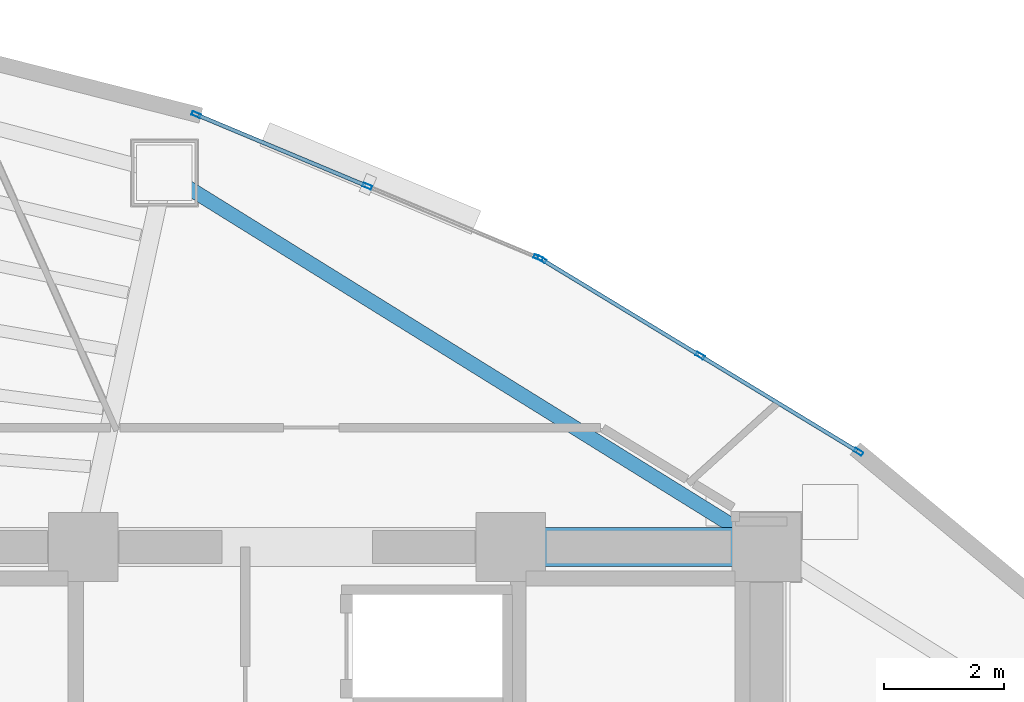
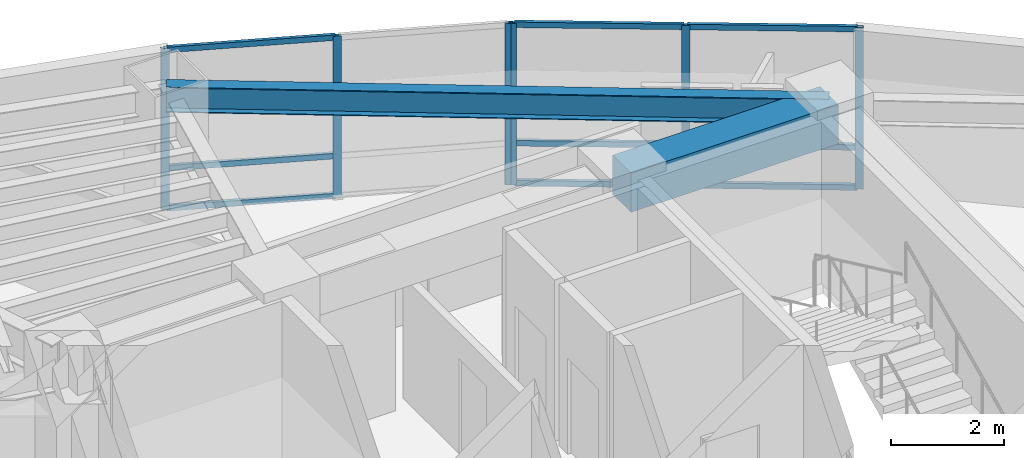
# One storey, part 9 of 15: 15 members, 2 beams, 2 elements without a shape of their own.
"""IFC4 building model written with IfcOpenShell, lengths in metres."""

from ifc_helpers import new_model, si_unit, direction, frame, origin, origin_2d, place, context, subcontext, project, spatial, rectangle, hollow_rectangle, i_section, extrude, material, layer, layer_set, material_profile, profile_set, type_object, element, aggregate, save


model = new_model("IFC4")

# Units and contexts
model_context = context("Model", 3, precision=1e-05, world=origin(), true_north=direction((0.0, 1.0)))
body_context = subcontext(model_context, "Body", "Model", "MODEL_VIEW")
ifc_project = project(units=[si_unit("LENGTHUNIT", "METRE"), si_unit("AREAUNIT", "SQUARE_METRE"), si_unit("VOLUMEUNIT", "CUBIC_METRE"), si_unit("PLANEANGLEUNIT", "RADIAN"), si_unit("MASSUNIT", "GRAM", prefix="KILO")], contexts=[model_context])

# Site, building, storey
site_placement = place(None, origin())
site = spatial("IfcSite", under=ifc_project, at=site_placement, CompositionType="ELEMENT")
building_placement = place(site_placement, origin())
building = spatial("IfcBuilding", under=site, at=building_placement, Name="Menara Vayukalpa", CompositionType="ELEMENT")
storey_placement = place(building_placement, frame((0.0, 0.0, 137.4599609375)))
storey = spatial("IfcBuildingStorey", under=building, at=storey_placement, Name="L34", CompositionType="ELEMENT", Elevation=137.4599609375)

# Beams
ifc_material_1 = material(Name="Concrete C60/75", Category="concrete")
ifc_material_profile_1 = material_profile(ifc_material_1, rectangle(XDim=0.64990234375, YDim=0.85009765625, at=origin_2d()), Name="RC 650x850")
ifc_profile_set_1 = profile_set([ifc_material_profile_1], Name="Concrete C60/75")
beam_type_1 = type_object("IfcBeamType", Name="BM-CB1", PredefinedType="BEAM", material=ifc_profile_set_1)
beam_1_placement = place(storey_placement, frame((29.14990234375, 26.800048828125, 3.074951171875), z_axis=(1.0, 0.0, 0.0), x_axis=(0.0, 1.0, 0.0)))
element("IfcBeam", 1, at=beam_1_placement, inside=storey, type_object=beam_type_1, Name="L34 Core Tie Beam CBR6", PredefinedType="BEAM", context=body_context, shape_type="SweptSolid", body=[
    extrude(rectangle(XDim=0.64990234375, YDim=0.85009765625, at=origin_2d()), origin(), (0.0, 0.0, 1.0), 4.25),
])
ifc_material_2 = material(Name="Steel S355", Category="steel")
ifc_material_profile_2 = material_profile(ifc_material_2, i_section(OverallWidth=0.239990234375, OverallDepth=0.550048828125, WebThickness=0.010986328125, FlangeThickness=0.01904296875, at=origin_2d()), Name="WF 550x240x11x19")
ifc_profile_set_2 = profile_set([ifc_material_profile_2], Name="Steel S355")
beam_type_2 = type_object("IfcBeamType", Name="BM-SP2", PredefinedType="SPANDREL", material=ifc_profile_set_2)
beam_2_placement = place(storey_placement, frame((33.39990234375, 26.800048828125, 3.22509765625), z_axis=(-0.849518408464, 0.527558976495, 0.0), x_axis=(-0.527558976495, -0.849518408464, 0.0)))
element("IfcBeam", 2, at=beam_2_placement, inside=storey, type_object=beam_type_2, Name="L34 Perimeter Spandrel Beam SP02", PredefinedType="SPANDREL", context=body_context, shape_type="SweptSolid", body=[
    extrude(i_section(OverallWidth=0.239990234375, OverallDepth=0.550048828125, WebThickness=0.010986328125, FlangeThickness=0.01904296875, at=origin_2d()), origin(), (0.0, 0.0, 1.0), 11.77490234375),
])

# Curtain wall, members
ifc_material_3 = material(Name="Anodised Terracotta Aluminium Alloy 6063-T6", Category="masonry")
ifc_layer = layer(ifc_material_3, 0.14990234375)
ifc_layer_set = layer_set([ifc_layer], Name="Anodised Terracotta Aluminium Alloy 6063-T6")
curtain_wall_type = type_object("IfcCurtainWallType", Name="CW-CW3", PredefinedType="USERDEFINED", material=ifc_layer_set)
curtain_wall_1_placement = place(storey_placement, origin())
curtain_wall_1 = element("IfcCurtainWall", 3, at=curtain_wall_1_placement, inside=storey, type_object=curtain_wall_type, Name="L34 Mid Rise Terracotta Ribbon Curtain Wall CW3 04", ObjectType="UNITISED", PredefinedType="USERDEFINED")
ifc_material_4 = material(Name="Anodised Terracotta Aluminium Alloy 6063-T6", Category="masonry")
ifc_material_profile_3 = material_profile(ifc_material_4, hollow_rectangle(XDim=0.06494140625, YDim=0.14990234375, WallThickness=0.00341796875, at=origin_2d()), Name="ALU 65x150x3.5")
ifc_profile_set_3 = profile_set([ifc_material_profile_3], Name="Anodised Terracotta Aluminium Alloy 6063-T6")
member_type_1 = type_object("IfcMemberType", Name="CWM-CW3", PredefinedType="MULLION", material=ifc_profile_set_3)
member_1_placement = place(storey_placement, frame((34.927001953125, 28.377197265625, 0.0), z_axis=(0.0, 0.0, 1.0), x_axis=(-0.519195768176, -0.854655342409, 0.0)))
member_1 = element("IfcMember", 4, at=member_1_placement, type_object=member_type_1, Name="CW3 mullion 1", PredefinedType="MULLION", context=body_context, shape_type="SweptSolid", body=[
    extrude(hollow_rectangle(XDim=0.06494140625, YDim=0.14990234375, WallThickness=0.00341796875, at=origin_2d()), origin(), (0.0, 0.0, 1.0), 3.5),
])
member_2_placement = place(storey_placement, frame((32.295654296875, 29.9755859375, 0.0), z_axis=(0.0, 0.0, 1.0), x_axis=(-0.519195768176, -0.854655342409, 0.0)))
member_2 = element("IfcMember", 5, at=member_2_placement, type_object=member_type_1, Name="CW3 mullion 2", PredefinedType="MULLION", context=body_context, shape_type="SweptSolid", body=[
    extrude(hollow_rectangle(XDim=0.06494140625, YDim=0.14990234375, WallThickness=0.00341796875, at=origin_2d()), origin(), (0.0, 0.0, 1.0), 3.5),
])
member_3_placement = place(storey_placement, frame((29.66455078125, 31.57421875, 0.0), z_axis=(0.0, 0.0, 1.0), x_axis=(-0.519195768176, -0.854655342409, 0.0)))
member_3 = element("IfcMember", 6, at=member_3_placement, type_object=member_type_1, Name="CW3 mullion 3", PredefinedType="MULLION", context=body_context, shape_type="SweptSolid", body=[
    extrude(hollow_rectangle(XDim=0.06494140625, YDim=0.14990234375, WallThickness=0.00341796875, at=origin_2d()), origin(), (0.0, 0.0, 1.0), 3.5),
])

curtain_wall_2_placement = place(storey_placement, origin())
curtain_wall_2 = element("IfcCurtainWall", 7, at=curtain_wall_2_placement, inside=storey, type_object=curtain_wall_type, Name="L34 Mid Rise Terracotta Ribbon Curtain Wall CW3 05", ObjectType="UNITISED", PredefinedType="USERDEFINED")
member_4_placement = place(storey_placement, frame((29.606689453125, 31.603515625, 0.0), z_axis=(0.0, 0.0, 1.0), x_axis=(-0.385886210456, -0.922546385056, 0.0)))
member_4 = element("IfcMember", 8, at=member_4_placement, type_object=member_type_1, Name="CW3 mullion 1", PredefinedType="MULLION", context=body_context, shape_type="SweptSolid", body=[
    extrude(hollow_rectangle(XDim=0.06494140625, YDim=0.14990234375, WallThickness=0.00341796875, at=origin_2d()), origin(), (0.0, 0.0, 1.0), 3.5),
])
member_5_placement = place(storey_placement, frame((26.766357421875, 32.79150390625, 0.0), z_axis=(0.0, 0.0, 1.0), x_axis=(-0.385886210456, -0.922546385056, 0.0)))
member_5 = element("IfcMember", 9, at=member_5_placement, type_object=member_type_1, Name="CW3 mullion 2", PredefinedType="MULLION", context=body_context, shape_type="SweptSolid", body=[
    extrude(hollow_rectangle(XDim=0.06494140625, YDim=0.14990234375, WallThickness=0.00341796875, at=origin_2d()), origin(), (0.0, 0.0, 1.0), 3.5),
])
member_6_placement = place(storey_placement, frame((23.926025390625, 33.979736328125, 0.0), z_axis=(0.0, 0.0, 1.0), x_axis=(-0.385886210456, -0.922546385056, 0.0)))
member_6 = element("IfcMember", 10, at=member_6_placement, type_object=member_type_1, Name="CW3 mullion 3", PredefinedType="MULLION", context=body_context, shape_type="SweptSolid", body=[
    extrude(hollow_rectangle(XDim=0.06494140625, YDim=0.14990234375, WallThickness=0.00341796875, at=origin_2d()), origin(), (0.0, 0.0, 1.0), 3.5),
])

# Member
ifc_material_5 = material(Name="Anodised Terracotta Aluminium Alloy 6063-T6", Category="masonry")
ifc_material_profile_4 = material_profile(ifc_material_5, hollow_rectangle(XDim=0.06494140625, YDim=0.1201171875, WallThickness=0.00341796875, at=origin_2d()), Name="ALU 65x120x3.5")
ifc_profile_set_4 = profile_set([ifc_material_profile_4], Name="Anodised Terracotta Aluminium Alloy 6063-T6")
member_type_2 = type_object("IfcMemberType", Name="CWT-CW3", PredefinedType="USERDEFINED", material=ifc_profile_set_4)
member_7_placement = place(storey_placement, frame((34.899169921875, 28.39404296875, 0.032470703125), z_axis=(-0.854656573285, 0.519193742008, 0.0), x_axis=(-0.519193742008, -0.854656573285, 0.0)))
member_7 = element("IfcMember", 11, at=member_7_placement, type_object=member_type_2, Name="CW3 transom 1.1", ObjectType="TRANSOM", PredefinedType="USERDEFINED", context=body_context, shape_type="SweptSolid", body=[
    extrude(hollow_rectangle(XDim=0.06494140625, YDim=0.1201171875, WallThickness=0.00341796875, at=origin_2d()), origin(), (0.0, 0.0, 1.0), 3.013671875),
])

member_8_placement = place(storey_placement, frame((34.899169921875, 28.39404296875, 0.900146484375), z_axis=(-0.854656573285, 0.519193742008, 0.0), x_axis=(-0.519193742008, -0.854656573285, 0.0)))
member_8 = element("IfcMember", 12, at=member_8_placement, type_object=member_type_2, Name="CW3 transom 1.2", ObjectType="TRANSOM", PredefinedType="USERDEFINED", context=body_context, shape_type="SweptSolid", body=[
    extrude(hollow_rectangle(XDim=0.06494140625, YDim=0.1201171875, WallThickness=0.00341796875, at=origin_2d()), origin(), (0.0, 0.0, 1.0), 3.013671875),
])

member_9_placement = place(storey_placement, frame((34.899169921875, 28.39404296875, 3.467529296875), z_axis=(-0.854656573285, 0.519193742008, 0.0), x_axis=(-0.519193742008, -0.854656573285, 0.0)))
member_9 = element("IfcMember", 13, at=member_9_placement, type_object=member_type_2, Name="CW3 transom 1.3", ObjectType="TRANSOM", PredefinedType="USERDEFINED", context=body_context, shape_type="SweptSolid", body=[
    extrude(hollow_rectangle(XDim=0.06494140625, YDim=0.1201171875, WallThickness=0.00341796875, at=origin_2d()), origin(), (0.0, 0.0, 1.0), 3.013671875),
])

member_10_placement = place(storey_placement, frame((32.26806640625, 29.992431640625, 0.032470703125), z_axis=(-0.854642464994, 0.519216965275, 0.0), x_axis=(-0.519216965275, -0.854642464994, 0.0)))
member_10 = element("IfcMember", 14, at=member_10_placement, type_object=member_type_2, Name="CW3 transom 2.1", ObjectType="TRANSOM", PredefinedType="USERDEFINED", context=body_context, shape_type="SweptSolid", body=[
    extrude(hollow_rectangle(XDim=0.06494140625, YDim=0.1201171875, WallThickness=0.00341796875, at=origin_2d()), origin(), (0.0, 0.0, 1.0), 3.01416015625),
])

member_11_placement = place(storey_placement, frame((32.26806640625, 29.992431640625, 0.900146484375), z_axis=(-0.854642464994, 0.519216965275, 0.0), x_axis=(-0.519216965275, -0.854642464994, 0.0)))
member_11 = element("IfcMember", 15, at=member_11_placement, type_object=member_type_2, Name="CW3 transom 2.2", ObjectType="TRANSOM", PredefinedType="USERDEFINED", context=body_context, shape_type="SweptSolid", body=[
    extrude(hollow_rectangle(XDim=0.06494140625, YDim=0.1201171875, WallThickness=0.00341796875, at=origin_2d()), origin(), (0.0, 0.0, 1.0), 3.01416015625),
])

member_12_placement = place(storey_placement, frame((32.26806640625, 29.992431640625, 3.467529296875), z_axis=(-0.854642464994, 0.519216965275, 0.0), x_axis=(-0.519216965275, -0.854642464994, 0.0)))
member_12 = element("IfcMember", 16, at=member_12_placement, type_object=member_type_2, Name="CW3 transom 2.3", ObjectType="TRANSOM", PredefinedType="USERDEFINED", context=body_context, shape_type="SweptSolid", body=[
    extrude(hollow_rectangle(XDim=0.06494140625, YDim=0.1201171875, WallThickness=0.00341796875, at=origin_2d()), origin(), (0.0, 0.0, 1.0), 3.01416015625),
])

aggregate(curtain_wall_1, [member_1, member_2, member_3, member_7, member_8, member_9, member_10, member_11, member_12])

member_13_placement = place(storey_placement, frame((26.736328125, 32.80419921875, 0.032470703125), z_axis=(-0.922558380554, 0.385857531312, 0.0), x_axis=(-0.385857531312, -0.922558380554, 0.0)))
member_13 = element("IfcMember", 17, at=member_13_placement, type_object=member_type_2, Name="CW3 transom 2.1", ObjectType="TRANSOM", PredefinedType="USERDEFINED", context=body_context, shape_type="SweptSolid", body=[
    extrude(hollow_rectangle(XDim=0.06494140625, YDim=0.1201171875, WallThickness=0.00341796875, at=origin_2d()), origin(), (0.0, 0.0, 1.0), 3.013671875),
])

member_14_placement = place(storey_placement, frame((26.736328125, 32.80419921875, 0.900146484375), z_axis=(-0.922558380554, 0.385857531312, 0.0), x_axis=(-0.385857531312, -0.922558380554, 0.0)))
member_14 = element("IfcMember", 18, at=member_14_placement, type_object=member_type_2, Name="CW3 transom 2.2", ObjectType="TRANSOM", PredefinedType="USERDEFINED", context=body_context, shape_type="SweptSolid", body=[
    extrude(hollow_rectangle(XDim=0.06494140625, YDim=0.1201171875, WallThickness=0.00341796875, at=origin_2d()), origin(), (0.0, 0.0, 1.0), 3.013671875),
])

member_15_placement = place(storey_placement, frame((26.736328125, 32.80419921875, 3.467529296875), z_axis=(-0.922558380554, 0.385857531312, 0.0), x_axis=(-0.385857531312, -0.922558380554, 0.0)))
member_15 = element("IfcMember", 19, at=member_15_placement, type_object=member_type_2, Name="CW3 transom 2.3", ObjectType="TRANSOM", PredefinedType="USERDEFINED", context=body_context, shape_type="SweptSolid", body=[
    extrude(hollow_rectangle(XDim=0.06494140625, YDim=0.1201171875, WallThickness=0.00341796875, at=origin_2d()), origin(), (0.0, 0.0, 1.0), 3.013671875),
])

aggregate(curtain_wall_2, [member_4, member_5, member_6, member_13, member_14, member_15])

save(model, "model.ifc")
